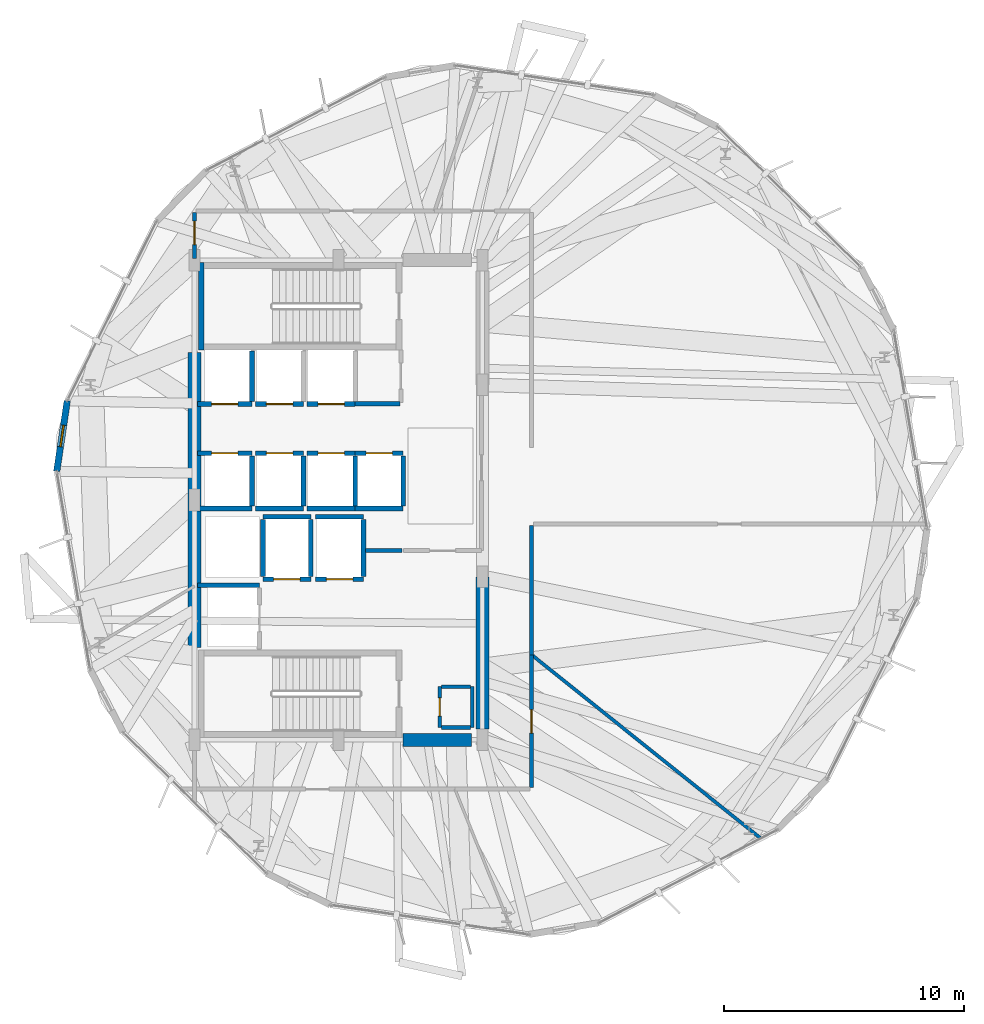
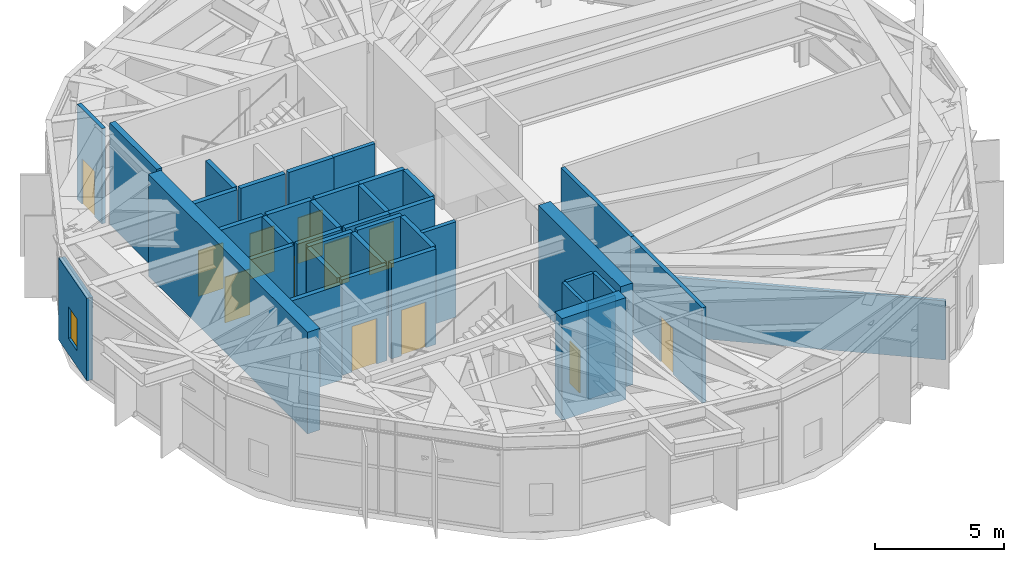
# One storey, part 22 of 27: 39 walls, 12 doors, 1 window, 13 openings.
"""IFC4 building model written with IfcOpenShell, lengths in metres."""

from ifc_helpers import new_model, si_unit, direction, frame, frame_2d, origin, place, context, subcontext, project, spatial, rectangle, extrude, material, layer, layer_set, type_object, element, fill, save


model = new_model("IFC4")

# Units and contexts
model_context = context("Model", 3, precision=1e-05, world=origin(), true_north=direction((0.0, 1.0)))
body_context = subcontext(model_context, "Body", "Model", "MODEL_VIEW")
ifc_project = project(units=[si_unit("LENGTHUNIT", "METRE"), si_unit("AREAUNIT", "SQUARE_METRE"), si_unit("VOLUMEUNIT", "CUBIC_METRE"), si_unit("PLANEANGLEUNIT", "RADIAN"), si_unit("MASSUNIT", "GRAM", prefix="KILO")], contexts=[model_context])

# Site, building, storey
site_placement = place(None, origin())
site = spatial("IfcSite", under=ifc_project, at=site_placement, CompositionType="ELEMENT")
building_placement = place(site_placement, origin())
building = spatial("IfcBuilding", under=site, at=building_placement, Name="Soratama Intermodal Tower", CompositionType="ELEMENT")
storey_placement = place(building_placement, frame((0.0, 0.0, 134.199951171875)))
storey = spatial("IfcBuildingStorey", under=building, at=storey_placement, Name="L32", CompositionType="ELEMENT", Elevation=134.199951171875)

# Wall, opening, window
ifc_material_1 = material(Name="Concrete f'c 42 MPa", Category="concrete")
ifc_layer_1 = layer(ifc_material_1, 0.27001953125)
ifc_layer_set_1 = layer_set([ifc_layer_1], Name="Concrete f'c 42 MPa")
wall_type_1 = type_object("IfcWallType", Name="EW-CRN-270", PredefinedType="SOLIDWALL", material=ifc_layer_set_1)
wall_1_placement = place(storey_placement, frame((27.29736328125, 29.132568359375, 0.0), z_axis=(0.0, 0.0, 1.0), x_axis=(-0.147157120534, -0.989113128958, 0.0)))
wall_1 = element("IfcWall", 1, at=wall_1_placement, inside=storey, type_object=wall_type_1, Name="L32 Corner Closure Wall 04", PredefinedType="SOLIDWALL", context=body_context, shape_type="SweptSolid", body=[
    extrude(rectangle(XDim=2.96630859375, YDim=0.27001953125, at=frame_2d((1.483154296875, 0.0))), origin(), (0.0, 0.0, 1.0), 3.879150390625),
])
opening_1_placement = place(wall_1_placement, frame((1.033203125, 0.0, 0.75)))
opening_1 = element("IfcOpeningElement", 2, at=opening_1_placement, cuts=wall_1, Name="Opening WN-6", PredefinedType="OPENING", context=body_context, shape_type="SweptSolid", body=[
    extrude(rectangle(XDim=0.89990234375, YDim=1.5, at=frame_2d((0.449951171875, 0.75))), frame((0.0, 0.14501953125, 0.0), z_axis=(0.0, -1.0, 0.0), x_axis=(1.0, 0.0, 0.0)), (0.0, 0.0, 1.0), 0.2900390625),
])
ifc_material_2 = material(Name="Double-glazed aluminium window", Category="aluminium")
window_type = type_object("IfcWindowType", Name="WN-FAC-900", PartitioningType="SINGLE_PANEL", PredefinedType="WINDOW", material=ifc_material_2)
window_placement = place(opening_1_placement, origin())
window = element("IfcWindow", 3, at=window_placement, inside=storey, type_object=window_type, Name="L32 Corner Window 04", OverallHeight=1.5, OverallWidth=0.89990234375, PartitioningType="SINGLE_PANEL", PredefinedType="WINDOW", context=body_context, shape_type="SweptSolid", body=[
    extrude(rectangle(XDim=0.89990234375, YDim=1.5, at=frame_2d((0.449951171875, 0.75))), frame((0.0, 0.030029296875, 0.0), z_axis=(0.0, -1.0, 0.0), x_axis=(1.0, 0.0, 0.0)), (0.0, 0.0, 1.0), 0.06005859375),
])
fill(opening_1, window)

# Walls
ifc_material_3 = material(Name="Fire-rated gypsum stud partition", Category="concrete")
ifc_layer_2 = layer(ifc_material_3, 0.14990234375)
ifc_layer_set_2 = layer_set([ifc_layer_2], Name="Fire-rated gypsum stud partition")
wall_type_2 = type_object("IfcWallType", Name="IW-PART-R150", PredefinedType="PARTITIONING", material=ifc_layer_set_2)
for number, where, z_axis, x_axis, name in (
    (4, (42.89990234375, 15.52001953125, 0.0), (0.0, 0.0, 1.0), (1.0, 0.0, 0.0), "L32 Riser Wall S"),
    (5, (42.89990234375, 17.219970703125, 0.0), (0.0, 0.0, 1.0), (1.0, 0.0, 0.0), "L32 Riser Wall N"),
):
    element("IfcWall", number, at=place(storey_placement, frame(where, z_axis=z_axis, x_axis=x_axis)), inside=storey, type_object=wall_type_2, Name=name, PredefinedType="PARTITIONING", context=body_context, shape_type="SweptSolid", body=[
        extrude(rectangle(XDim=1.2001953125, YDim=0.14990234375, at=frame_2d((0.60009765625, 0.0))), origin(), (0.0, 0.0, 1.0), 4.5),
    ])
wall_2_placement = place(storey_placement, frame((44.179931640625, 15.52001953125, 0.0), z_axis=(0.0, 0.0, 1.0), x_axis=(0.0, 1.0, 0.0)))
element("IfcWall", 6, at=wall_2_placement, inside=storey, type_object=wall_type_2, Name="L32 Riser Wall E", PredefinedType="PARTITIONING", context=body_context, shape_type="SweptSolid", body=[
    extrude(rectangle(XDim=1.699951171875, YDim=0.14990234375, at=frame_2d((0.85009765625, 0.0))), origin(), (0.0, 0.0, 1.0), 4.5),
])

# Wall, opening, door
wall_3_placement = place(storey_placement, frame((42.820068359375, 15.52001953125, 0.0), z_axis=(0.0, 0.0, 1.0), x_axis=(0.0, 1.0, 0.0)))
wall_3 = element("IfcWall", 7, at=wall_3_placement, inside=storey, type_object=wall_type_2, Name="L32 Riser Front Wall", PredefinedType="PARTITIONING", context=body_context, shape_type="SweptSolid", body=[
    extrude(rectangle(XDim=1.699951171875, YDim=0.14990234375, at=frame_2d((0.85009765625, 0.0))), origin(), (0.0, 0.0, 1.0), 4.5),
])
opening_2_placement = place(wall_3_placement, frame((0.469970703125, 0.0, 0.0)))
opening_2 = element("IfcOpeningElement", 8, at=opening_2_placement, cuts=wall_3, Name="Opening TD-1", PredefinedType="OPENING", context=body_context, shape_type="SweptSolid", body=[
    extrude(rectangle(XDim=0.760009765625, YDim=2.0, at=frame_2d((0.3798828125, 1.0))), frame((0.0, 0.0849609375, 0.0), z_axis=(0.0, -1.0, 0.0), x_axis=(1.0, 0.0, 0.0)), (0.0, 0.0, 1.0), 0.169921875),
])
ifc_material_4 = material(Name="Steel fire door", Category="steel")
door_type_1 = type_object("IfcDoorType", Name="DR-RISER-TRAP", OperationType="NOTDEFINED", PredefinedType="TRAPDOOR", material=ifc_material_4)
door_1_placement = place(opening_2_placement, origin())
door_1 = element("IfcDoor", 9, at=door_1_placement, inside=storey, type_object=door_type_1, Name="L32 Riser Inspection Door", OperationType="SINGLE_SWING_LEFT", OverallHeight=2.0, OverallWidth=0.760009765625, PredefinedType="TRAPDOOR", context=body_context, shape_type="SweptSolid", body=[
    extrude(rectangle(XDim=0.760009765625, YDim=2.0, at=frame_2d((0.3798828125, 1.0))), frame((0.0, 0.02490234375, 0.0), z_axis=(0.0, -1.0, 0.0), x_axis=(1.0, 0.0, 0.0)), (0.0, 0.0, 1.0), 0.050048828125),
])
fill(opening_2, door_1)

ifc_material_5 = material(Name="Fire-rated gypsum stud partition", Category="concrete")
ifc_layer_3 = layer(ifc_material_5, 0.169921875)
ifc_layer_set_3 = layer_set([ifc_layer_3], Name="Fire-rated gypsum stud partition")
wall_type_3 = type_object("IfcWallType", Name="IW-PART-R170", PredefinedType="PARTITIONING", material=ifc_layer_set_3)
wall_4_placement = place(storey_placement, frame((46.64990234375, 18.550048828125, 0.0), z_axis=(0.0, 0.0, 1.0), x_axis=(0.0, -1.0, 0.0)))
wall_4 = element("IfcWall", 10, at=wall_4_placement, inside=storey, type_object=wall_type_3, Name="L32 Partition W-L32-TP008", PredefinedType="PARTITIONING", context=body_context, shape_type="SweptSolid", body=[
    extrude(rectangle(XDim=5.530029296875, YDim=0.169921875, at=frame_2d((2.76513671875, 0.0))), origin(), (0.0, 0.0, 1.0), 4.5),
])
opening_3_placement = place(wall_4_placement, frame((2.2900390625, 0.0, 0.0)))
opening_3 = element("IfcOpeningElement", 11, at=opening_3_placement, cuts=wall_4, Name="Opening ID-5", PredefinedType="OPENING", context=body_context, shape_type="SweptSolid", body=[
    extrude(rectangle(XDim=0.97998046875, YDim=2.14990234375, at=frame_2d((0.489990234375, 1.074951171875))), frame((0.0, 0.094970703125, 0.0), z_axis=(0.0, -1.0, 0.0), x_axis=(1.0, 0.0, 0.0)), (0.0, 0.0, 1.0), 0.18994140625),
])
ifc_material_6 = material(Name="Solid hardwood acoustic door", Category="wood")
door_type_2 = type_object("IfcDoorType", Name="DR-OFF-980", OperationType="NOTDEFINED", PredefinedType="DOOR", material=ifc_material_6)
door_2_placement = place(opening_3_placement, origin())
door_2 = element("IfcDoor", 12, at=door_2_placement, inside=storey, type_object=door_type_2, Name="L32 Door D-L32-TP005", OperationType="SINGLE_SWING_RIGHT", OverallHeight=2.14990234375, OverallWidth=0.97998046875, PredefinedType="DOOR", context=body_context, shape_type="SweptSolid", body=[
    extrude(rectangle(XDim=0.97998046875, YDim=2.14990234375, at=frame_2d((0.489990234375, 1.074951171875))), frame((0.0, 0.02490234375, 0.0), z_axis=(0.0, -1.0, 0.0), x_axis=(1.0, 0.0, 0.0)), (0.0, 0.0, 1.0), 0.050048828125),
])
fill(opening_3, door_2)

# Wall
wall_5_placement = place(storey_placement, frame((46.64990234375, 23.929931640625, 0.0), z_axis=(0.0, 0.0, 1.0), x_axis=(0.0, -1.0, 0.0)))
element("IfcWall", 13, at=wall_5_placement, inside=storey, type_object=wall_type_3, Name="L32 Partition W-L32-TP009", PredefinedType="PARTITIONING", context=body_context, shape_type="SweptSolid", body=[
    extrude(rectangle(XDim=5.3798828125, YDim=0.169921875, at=frame_2d((2.68994140625, 0.0))), origin(), (0.0, 0.0, 1.0), 4.5),
])

# Wall, opening, door
wall_6_placement = place(storey_placement, frame((32.60009765625, 35.070068359375, 0.0), z_axis=(0.0, 0.0, 1.0), x_axis=(0.0, 1.0, 0.0)))
wall_6 = element("IfcWall", 14, at=wall_6_placement, inside=storey, type_object=wall_type_3, Name="L32 Partition W-L32-TP018", PredefinedType="PARTITIONING", context=body_context, shape_type="SweptSolid", body=[
    extrude(rectangle(XDim=1.909912109375, YDim=0.169921875, at=frame_2d((0.955078125, 0.0))), origin(), (0.0, 0.0, 1.0), 4.5),
])
opening_4_placement = place(wall_6_placement, frame((0.574951171875, 0.0, 0.0)))
opening_4 = element("IfcOpeningElement", 15, at=opening_4_placement, cuts=wall_6, Name="Opening ID-5", PredefinedType="OPENING", context=body_context, shape_type="SweptSolid", body=[
    extrude(rectangle(XDim=0.97998046875, YDim=2.14990234375, at=frame_2d((0.489990234375, 1.074951171875))), frame((0.0, 0.094970703125, 0.0), z_axis=(0.0, -1.0, 0.0), x_axis=(1.0, 0.0, 0.0)), (0.0, 0.0, 1.0), 0.18994140625),
])
door_3_placement = place(opening_4_placement, origin())
door_3 = element("IfcDoor", 16, at=door_3_placement, inside=storey, type_object=door_type_2, Name="L32 Door D-L32-TP009", OperationType="SINGLE_SWING_RIGHT", OverallHeight=2.14990234375, OverallWidth=0.97998046875, PredefinedType="DOOR", context=body_context, shape_type="SweptSolid", body=[
    extrude(rectangle(XDim=0.97998046875, YDim=2.14990234375, at=frame_2d((0.489990234375, 1.074951171875))), frame((0.0, 0.02490234375, 0.0), z_axis=(0.0, -1.0, 0.0), x_axis=(1.0, 0.0, 0.0)), (0.0, 0.0, 1.0), 0.050048828125),
])
fill(opening_4, door_3)

# Walls
wall_7_placement = place(storey_placement, frame((39.300048828125, 29.010009765625, 0.0), z_axis=(0.0, 0.0, 1.0), x_axis=(1.0, 0.0, 0.0)))
element("IfcWall", 17, at=wall_7_placement, inside=storey, type_object=wall_type_3, Name="L32 Partition W-L32-TP019", PredefinedType="PARTITIONING", context=body_context, shape_type="SweptSolid", body=[
    extrude(rectangle(XDim=1.85986328125, YDim=0.169921875, at=frame_2d((0.929931640625, 0.0))), origin(), (0.0, 0.0, 1.0), 4.5),
])
wall_8_placement = place(storey_placement, frame((39.719970703125, 22.889892578125, 0.0), z_axis=(0.0, 0.0, 1.0), x_axis=(1.0, 0.0, 0.0)))
element("IfcWall", 18, at=wall_8_placement, inside=storey, type_object=wall_type_3, Name="L32 Partition W-L32-TP020", PredefinedType="PARTITIONING", context=body_context, shape_type="SweptSolid", body=[
    extrude(rectangle(XDim=1.52001953125, YDim=0.169921875, at=frame_2d((0.760009765625, 0.0))), origin(), (0.0, 0.0, 1.0), 4.5),
])
ifc_material_7 = material(Name="Fire-rated gypsum stud partition", Category="concrete")
ifc_layer_4 = layer(ifc_material_7, 0.139892578125)
ifc_layer_set_4 = layer_set([ifc_layer_4], Name="Fire-rated gypsum stud partition")
wall_type_4 = type_object("IfcWallType", Name="IW-PART-S140", PredefinedType="PARTITIONING", material=ifc_layer_set_4)
wall_9_placement = place(storey_placement, frame((46.64990234375, 18.550048828125, 0.0), z_axis=(0.0, 0.0, 1.0), x_axis=(0.780419315433, -0.625256501045, 0.0)))
element("IfcWall", 19, at=wall_9_placement, inside=storey, type_object=wall_type_4, Name="L32 Partition W-L32-TP002", PredefinedType="PARTITIONING", context=body_context, shape_type="SweptSolid", body=[
    extrude(rectangle(XDim=12.24609375, YDim=0.139892578125, at=frame_2d((6.123046875, 0.0))), origin(), (0.0, 0.0, 1.0), 2.7900390625),
])

# Wall, opening, door
ifc_material_8 = material(Name="Concrete f'c 42 MPa", Category="concrete")
ifc_layer_5 = layer(ifc_material_8, 0.199951171875)
ifc_layer_set_5 = layer_set([ifc_layer_5], Name="Concrete f'c 42 MPa")
wall_type_5 = type_object("IfcWallType", Name="IW-SHAFT-200", PredefinedType="SOLIDWALL", material=ifc_layer_set_5)
wall_10_placement = place(storey_placement, frame((35.449951171875, 21.699951171875, 0.0), z_axis=(0.0, 0.0, 1.0), x_axis=(1.0, 0.0, 0.0)))
wall_10 = element("IfcWall", 20, at=wall_10_placement, inside=storey, type_object=wall_type_5, Name="L32 FFL-1 Hoistway Wall S", PredefinedType="SOLIDWALL", context=body_context, shape_type="SweptSolid", body=[
    extrude(rectangle(XDim=2.0, YDim=0.199951171875, at=frame_2d((1.0, 0.0))), origin(), (0.0, 0.0, 1.0), 4.5),
])
opening_5_placement = place(wall_10_placement, frame((0.449951171875, 0.0, 0.0)))
opening_5 = element("IfcOpeningElement", 21, at=opening_5_placement, cuts=wall_10, Name="Opening LD-1", PredefinedType="OPENING", context=body_context, shape_type="SweptSolid", body=[
    extrude(rectangle(XDim=1.10009765625, YDim=2.14990234375, at=frame_2d((0.550048828125, 1.074951171875))), frame((0.0, 0.10986328125, 0.0), z_axis=(0.0, -1.0, 0.0), x_axis=(1.0, 0.0, 0.0)), (0.0, 0.0, 1.0), 0.219970703125),
])
ifc_material_9 = material(Name="Steel fire door", Category="steel")
door_type_3 = type_object("IfcDoorType", Name="DR-LIFT-SLIDE", OperationType="NOTDEFINED", PredefinedType="DOOR", material=ifc_material_9)
door_4_placement = place(opening_5_placement, origin())
door_4 = element("IfcDoor", 22, at=door_4_placement, inside=storey, type_object=door_type_3, Name="L32 FFL-1 Sliding Landing Door", OperationType="SLIDING_TO_LEFT", OverallHeight=2.14990234375, OverallWidth=1.10009765625, PredefinedType="DOOR", context=body_context, shape_type="SweptSolid", body=[
    extrude(rectangle(XDim=1.10009765625, YDim=2.14990234375, at=frame_2d((0.550048828125, 1.074951171875))), frame((0.0, 0.02490234375, 0.0), z_axis=(0.0, -1.0, 0.0), x_axis=(1.0, 0.0, 0.0)), (0.0, 0.0, 1.0), 0.050048828125),
])
fill(opening_5, door_4)

# Walls
wall_11_placement = place(storey_placement, frame((35.449951171875, 24.300048828125, 0.0), z_axis=(0.0, 0.0, 1.0), x_axis=(1.0, 0.0, 0.0)))
element("IfcWall", 23, at=wall_11_placement, inside=storey, type_object=wall_type_5, Name="L32 FFL-1 Hoistway Wall N", PredefinedType="SOLIDWALL", context=body_context, shape_type="SweptSolid", body=[
    extrude(rectangle(XDim=2.0, YDim=0.199951171875, at=frame_2d((1.0, 0.0))), origin(), (0.0, 0.0, 1.0), 4.5),
])
for number, where, z_axis, x_axis, name in (
    (24, (35.449951171875, 21.81005859375, 0.0), (0.0, 0.0, 1.0), (0.0, 1.0, 0.0), "L32 FFL-1 Hoistway Wall W"),
    (25, (37.449951171875, 21.81005859375, 0.0), (0.0, 0.0, 1.0), (0.0, 1.0, 0.0), "L32 FFL-1 Hoistway Wall E"),
):
    element("IfcWall", number, at=place(storey_placement, frame(where, z_axis=z_axis, x_axis=x_axis)), inside=storey, type_object=wall_type_5, Name=name, PredefinedType="SOLIDWALL", context=body_context, shape_type="SweptSolid", body=[
        extrude(rectangle(XDim=2.3798828125, YDim=0.199951171875, at=frame_2d((1.18994140625, 0.0))), origin(), (0.0, 0.0, 1.0), 4.5),
    ])

# Wall, opening, door
wall_12_placement = place(storey_placement, frame((37.64990234375, 21.699951171875, 0.0), z_axis=(0.0, 0.0, 1.0), x_axis=(1.0, 0.0, 0.0)))
wall_12 = element("IfcWall", 26, at=wall_12_placement, inside=storey, type_object=wall_type_5, Name="L32 FFL-2 Hoistway Wall S", PredefinedType="SOLIDWALL", context=body_context, shape_type="SweptSolid", body=[
    extrude(rectangle(XDim=2.0, YDim=0.199951171875, at=frame_2d((1.0, 0.0))), origin(), (0.0, 0.0, 1.0), 4.5),
])
opening_6_placement = place(wall_12_placement, frame((0.449951171875, 0.0, 0.0)))
opening_6 = element("IfcOpeningElement", 27, at=opening_6_placement, cuts=wall_12, Name="Opening LD-1", PredefinedType="OPENING", context=body_context, shape_type="SweptSolid", body=[
    extrude(rectangle(XDim=1.10009765625, YDim=2.14990234375, at=frame_2d((0.550048828125, 1.074951171875))), frame((0.0, 0.10986328125, 0.0), z_axis=(0.0, -1.0, 0.0), x_axis=(1.0, 0.0, 0.0)), (0.0, 0.0, 1.0), 0.219970703125),
])
door_5_placement = place(opening_6_placement, origin())
door_5 = element("IfcDoor", 28, at=door_5_placement, inside=storey, type_object=door_type_3, Name="L32 FFL-2 Sliding Landing Door", OperationType="SLIDING_TO_LEFT", OverallHeight=2.14990234375, OverallWidth=1.10009765625, PredefinedType="DOOR", context=body_context, shape_type="SweptSolid", body=[
    extrude(rectangle(XDim=1.10009765625, YDim=2.14990234375, at=frame_2d((0.550048828125, 1.074951171875))), frame((0.0, 0.02490234375, 0.0), z_axis=(0.0, -1.0, 0.0), x_axis=(1.0, 0.0, 0.0)), (0.0, 0.0, 1.0), 0.050048828125),
])
fill(opening_6, door_5)

# Walls
wall_13_placement = place(storey_placement, frame((37.64990234375, 24.300048828125, 0.0), z_axis=(0.0, 0.0, 1.0), x_axis=(1.0, 0.0, 0.0)))
element("IfcWall", 29, at=wall_13_placement, inside=storey, type_object=wall_type_5, Name="L32 FFL-2 Hoistway Wall N", PredefinedType="SOLIDWALL", context=body_context, shape_type="SweptSolid", body=[
    extrude(rectangle(XDim=2.0, YDim=0.199951171875, at=frame_2d((1.0, 0.0))), origin(), (0.0, 0.0, 1.0), 4.5),
])
wall_14_placement = place(storey_placement, frame((39.64990234375, 21.81005859375, 0.0), z_axis=(0.0, 0.0, 1.0), x_axis=(0.0, 1.0, 0.0)))
element("IfcWall", 30, at=wall_14_placement, inside=storey, type_object=wall_type_5, Name="L32 FFL-2 Hoistway Wall E", PredefinedType="SOLIDWALL", context=body_context, shape_type="SweptSolid", body=[
    extrude(rectangle(XDim=2.3798828125, YDim=0.199951171875, at=frame_2d((1.18994140625, 0.0))), origin(), (0.0, 0.0, 1.0), 4.5),
])
wall_15_placement = place(storey_placement, frame((32.719970703125, 21.449951171875, 0.0), z_axis=(0.0, 0.0, 1.0), x_axis=(1.0, 0.0, 0.0)))
element("IfcWall", 31, at=wall_15_placement, inside=storey, type_object=wall_type_5, Name="L32 SVL-1 Hoistway Wall N", PredefinedType="SOLIDWALL", context=body_context, shape_type="SweptSolid", body=[
    extrude(rectangle(XDim=2.580078125, YDim=0.199951171875, at=frame_2d((1.2900390625, 0.0))), origin(), (0.0, 0.0, 1.0), 4.5),
])
wall_16_placement = place(storey_placement, frame((32.719970703125, 24.64990234375, 0.0), z_axis=(0.0, 0.0, 1.0), x_axis=(1.0, 0.0, 0.0)))
element("IfcWall", 32, at=wall_16_placement, inside=storey, type_object=wall_type_5, Name="L32 PL-L1 Hoistway Wall S", PredefinedType="SOLIDWALL", context=body_context, shape_type="SweptSolid", body=[
    extrude(rectangle(XDim=2.280029296875, YDim=0.199951171875, at=frame_2d((1.14013671875, 0.0))), origin(), (0.0, 0.0, 1.0), 4.5),
])

# Wall, opening, door
wall_17_placement = place(storey_placement, frame((32.719970703125, 26.949951171875, 0.0), z_axis=(0.0, 0.0, 1.0), x_axis=(1.0, 0.0, 0.0)))
wall_17 = element("IfcWall", 33, at=wall_17_placement, inside=storey, type_object=wall_type_5, Name="L32 PL-L1 Hoistway Wall N", PredefinedType="SOLIDWALL", context=body_context, shape_type="SweptSolid", body=[
    extrude(rectangle(XDim=2.280029296875, YDim=0.199951171875, at=frame_2d((1.14013671875, 0.0))), origin(), (0.0, 0.0, 1.0), 4.5),
])
opening_7_placement = place(wall_17_placement, frame((0.590087890625, 0.0, 0.0)))
opening_7 = element("IfcOpeningElement", 34, at=opening_7_placement, cuts=wall_17, Name="Opening LD-1", PredefinedType="OPENING", context=body_context, shape_type="SweptSolid", body=[
    extrude(rectangle(XDim=1.10009765625, YDim=2.14990234375, at=frame_2d((0.550048828125, 1.074951171875))), frame((0.0, 0.10986328125, 0.0), z_axis=(0.0, -1.0, 0.0), x_axis=(1.0, 0.0, 0.0)), (0.0, 0.0, 1.0), 0.219970703125),
])
door_6_placement = place(opening_7_placement, origin())
door_6 = element("IfcDoor", 35, at=door_6_placement, inside=storey, type_object=door_type_3, Name="L32 PL-L1 Sliding Landing Door", OperationType="SLIDING_TO_LEFT", OverallHeight=2.14990234375, OverallWidth=1.10009765625, PredefinedType="DOOR", context=body_context, shape_type="SweptSolid", body=[
    extrude(rectangle(XDim=1.10009765625, YDim=2.14990234375, at=frame_2d((0.550048828125, 1.074951171875))), frame((0.0, 0.02490234375, 0.0), z_axis=(0.0, -1.0, 0.0), x_axis=(1.0, 0.0, 0.0)), (0.0, 0.0, 1.0), 0.050048828125),
])
fill(opening_7, door_6)

# Walls
wall_18_placement = place(storey_placement, frame((35.0, 24.760009765625, 0.0), z_axis=(0.0, 0.0, 1.0), x_axis=(0.0, 1.0, 0.0)))
element("IfcWall", 36, at=wall_18_placement, inside=storey, type_object=wall_type_5, Name="L32 PL-L1 Hoistway Wall E", PredefinedType="SOLIDWALL", context=body_context, shape_type="SweptSolid", body=[
    extrude(rectangle(XDim=2.080078125, YDim=0.199951171875, at=frame_2d((1.0400390625, 0.0))), origin(), (0.0, 0.0, 1.0), 4.5),
])
wall_19_placement = place(storey_placement, frame((35.14990234375, 24.64990234375, 0.0), z_axis=(0.0, 0.0, 1.0), x_axis=(1.0, 0.0, 0.0)))
element("IfcWall", 37, at=wall_19_placement, inside=storey, type_object=wall_type_5, Name="L32 PL-L2 Hoistway Wall S", PredefinedType="SOLIDWALL", context=body_context, shape_type="SweptSolid", body=[
    extrude(rectangle(XDim=2.0, YDim=0.199951171875, at=frame_2d((1.0, 0.0))), origin(), (0.0, 0.0, 1.0), 4.5),
])

# Wall, opening, door
wall_20_placement = place(storey_placement, frame((35.14990234375, 26.949951171875, 0.0), z_axis=(0.0, 0.0, 1.0), x_axis=(1.0, 0.0, 0.0)))
wall_20 = element("IfcWall", 38, at=wall_20_placement, inside=storey, type_object=wall_type_5, Name="L32 PL-L2 Hoistway Wall N", PredefinedType="SOLIDWALL", context=body_context, shape_type="SweptSolid", body=[
    extrude(rectangle(XDim=2.0, YDim=0.199951171875, at=frame_2d((1.0, 0.0))), origin(), (0.0, 0.0, 1.0), 4.5),
])
opening_8_placement = place(wall_20_placement, frame((0.449951171875, 0.0, 0.0)))
opening_8 = element("IfcOpeningElement", 39, at=opening_8_placement, cuts=wall_20, Name="Opening LD-1", PredefinedType="OPENING", context=body_context, shape_type="SweptSolid", body=[
    extrude(rectangle(XDim=1.10009765625, YDim=2.14990234375, at=frame_2d((0.550048828125, 1.074951171875))), frame((0.0, 0.10986328125, 0.0), z_axis=(0.0, -1.0, 0.0), x_axis=(1.0, 0.0, 0.0)), (0.0, 0.0, 1.0), 0.219970703125),
])
door_7_placement = place(opening_8_placement, origin())
door_7 = element("IfcDoor", 40, at=door_7_placement, inside=storey, type_object=door_type_3, Name="L32 PL-L2 Sliding Landing Door", OperationType="SLIDING_TO_LEFT", OverallHeight=2.14990234375, OverallWidth=1.10009765625, PredefinedType="DOOR", context=body_context, shape_type="SweptSolid", body=[
    extrude(rectangle(XDim=1.10009765625, YDim=2.14990234375, at=frame_2d((0.550048828125, 1.074951171875))), frame((0.0, 0.02490234375, 0.0), z_axis=(0.0, -1.0, 0.0), x_axis=(1.0, 0.0, 0.0)), (0.0, 0.0, 1.0), 0.050048828125),
])
fill(opening_8, door_7)

# Walls
wall_21_placement = place(storey_placement, frame((37.14990234375, 24.760009765625, 0.0), z_axis=(0.0, 0.0, 1.0), x_axis=(0.0, 1.0, 0.0)))
element("IfcWall", 41, at=wall_21_placement, inside=storey, type_object=wall_type_5, Name="L32 PL-L2 Hoistway Wall E", PredefinedType="SOLIDWALL", context=body_context, shape_type="SweptSolid", body=[
    extrude(rectangle(XDim=2.080078125, YDim=0.199951171875, at=frame_2d((1.0400390625, 0.0))), origin(), (0.0, 0.0, 1.0), 4.5),
])
wall_22_placement = place(storey_placement, frame((37.300048828125, 24.64990234375, 0.0), z_axis=(0.0, 0.0, 1.0), x_axis=(1.0, 0.0, 0.0)))
element("IfcWall", 42, at=wall_22_placement, inside=storey, type_object=wall_type_5, Name="L32 PL-L3 Hoistway Wall S", PredefinedType="SOLIDWALL", context=body_context, shape_type="SweptSolid", body=[
    extrude(rectangle(XDim=2.0, YDim=0.199951171875, at=frame_2d((1.0, 0.0))), origin(), (0.0, 0.0, 1.0), 4.5),
])

# Wall, opening, door
wall_23_placement = place(storey_placement, frame((37.300048828125, 26.949951171875, 0.0), z_axis=(0.0, 0.0, 1.0), x_axis=(1.0, 0.0, 0.0)))
wall_23 = element("IfcWall", 43, at=wall_23_placement, inside=storey, type_object=wall_type_5, Name="L32 PL-L3 Hoistway Wall N", PredefinedType="SOLIDWALL", context=body_context, shape_type="SweptSolid", body=[
    extrude(rectangle(XDim=2.0, YDim=0.199951171875, at=frame_2d((1.0, 0.0))), origin(), (0.0, 0.0, 1.0), 4.5),
])
opening_9_placement = place(wall_23_placement, frame((0.449951171875, 0.0, 0.0)))
opening_9 = element("IfcOpeningElement", 44, at=opening_9_placement, cuts=wall_23, Name="Opening LD-1", PredefinedType="OPENING", context=body_context, shape_type="SweptSolid", body=[
    extrude(rectangle(XDim=1.10009765625, YDim=2.14990234375, at=frame_2d((0.550048828125, 1.074951171875))), frame((0.0, 0.10986328125, 0.0), z_axis=(0.0, -1.0, 0.0), x_axis=(1.0, 0.0, 0.0)), (0.0, 0.0, 1.0), 0.219970703125),
])
door_8_placement = place(opening_9_placement, origin())
door_8 = element("IfcDoor", 45, at=door_8_placement, inside=storey, type_object=door_type_3, Name="L32 PL-L3 Sliding Landing Door", OperationType="SLIDING_TO_LEFT", OverallHeight=2.14990234375, OverallWidth=1.10009765625, PredefinedType="DOOR", context=body_context, shape_type="SweptSolid", body=[
    extrude(rectangle(XDim=1.10009765625, YDim=2.14990234375, at=frame_2d((0.550048828125, 1.074951171875))), frame((0.0, 0.02490234375, 0.0), z_axis=(0.0, -1.0, 0.0), x_axis=(1.0, 0.0, 0.0)), (0.0, 0.0, 1.0), 0.050048828125),
])
fill(opening_9, door_8)

# Walls
wall_24_placement = place(storey_placement, frame((39.300048828125, 24.760009765625, 0.0), z_axis=(0.0, 0.0, 1.0), x_axis=(0.0, 1.0, 0.0)))
element("IfcWall", 46, at=wall_24_placement, inside=storey, type_object=wall_type_5, Name="L32 PL-L3 Hoistway Wall E", PredefinedType="SOLIDWALL", context=body_context, shape_type="SweptSolid", body=[
    extrude(rectangle(XDim=2.080078125, YDim=0.199951171875, at=frame_2d((1.0400390625, 0.0))), origin(), (0.0, 0.0, 1.0), 4.5),
])
wall_25_placement = place(storey_placement, frame((39.300048828125, 24.64990234375, 0.0), z_axis=(0.0, 0.0, 1.0), x_axis=(1.0, 0.0, 0.0)))
element("IfcWall", 47, at=wall_25_placement, inside=storey, type_object=wall_type_5, Name="L32 PL-M1 Hoistway Wall S", PredefinedType="SOLIDWALL", context=body_context, shape_type="SweptSolid", body=[
    extrude(rectangle(XDim=2.0, YDim=0.199951171875, at=frame_2d((1.0, 0.0))), origin(), (0.0, 0.0, 1.0), 4.5),
])

# Wall, opening, door
wall_26_placement = place(storey_placement, frame((39.300048828125, 26.949951171875, 0.0), z_axis=(0.0, 0.0, 1.0), x_axis=(1.0, 0.0, 0.0)))
wall_26 = element("IfcWall", 48, at=wall_26_placement, inside=storey, type_object=wall_type_5, Name="L32 PL-M1 Hoistway Wall N", PredefinedType="SOLIDWALL", context=body_context, shape_type="SweptSolid", body=[
    extrude(rectangle(XDim=2.0, YDim=0.199951171875, at=frame_2d((1.0, 0.0))), origin(), (0.0, 0.0, 1.0), 4.5),
])
opening_10_placement = place(wall_26_placement, frame((0.449951171875, 0.0, 0.0)))
opening_10 = element("IfcOpeningElement", 49, at=opening_10_placement, cuts=wall_26, Name="Opening LD-1", PredefinedType="OPENING", context=body_context, shape_type="SweptSolid", body=[
    extrude(rectangle(XDim=1.10009765625, YDim=2.14990234375, at=frame_2d((0.550048828125, 1.074951171875))), frame((0.0, 0.10986328125, 0.0), z_axis=(0.0, -1.0, 0.0), x_axis=(1.0, 0.0, 0.0)), (0.0, 0.0, 1.0), 0.219970703125),
])
door_9_placement = place(opening_10_placement, origin())
door_9 = element("IfcDoor", 50, at=door_9_placement, inside=storey, type_object=door_type_3, Name="L32 PL-M1 Sliding Landing Door", OperationType="SLIDING_TO_LEFT", OverallHeight=2.14990234375, OverallWidth=1.10009765625, PredefinedType="DOOR", context=body_context, shape_type="SweptSolid", body=[
    extrude(rectangle(XDim=1.10009765625, YDim=2.14990234375, at=frame_2d((0.550048828125, 1.074951171875))), frame((0.0, 0.02490234375, 0.0), z_axis=(0.0, -1.0, 0.0), x_axis=(1.0, 0.0, 0.0)), (0.0, 0.0, 1.0), 0.050048828125),
])
fill(opening_10, door_9)

# Wall
wall_27_placement = place(storey_placement, frame((41.300048828125, 24.760009765625, 0.0), z_axis=(0.0, 0.0, 1.0), x_axis=(0.0, 1.0, 0.0)))
element("IfcWall", 51, at=wall_27_placement, inside=storey, type_object=wall_type_5, Name="L32 PL-M1 Hoistway Wall E", PredefinedType="SOLIDWALL", context=body_context, shape_type="SweptSolid", body=[
    extrude(rectangle(XDim=2.080078125, YDim=0.199951171875, at=frame_2d((1.0400390625, 0.0))), origin(), (0.0, 0.0, 1.0), 4.5),
])

# Wall, opening, door
wall_28_placement = place(storey_placement, frame((32.719970703125, 29.0, 0.0), z_axis=(0.0, 0.0, 1.0), x_axis=(1.0, 0.0, 0.0)))
wall_28 = element("IfcWall", 52, at=wall_28_placement, inside=storey, type_object=wall_type_5, Name="L32 PL-M2 Hoistway Wall S", PredefinedType="SOLIDWALL", context=body_context, shape_type="SweptSolid", body=[
    extrude(rectangle(XDim=2.280029296875, YDim=0.199951171875, at=frame_2d((1.14013671875, 0.0))), origin(), (0.0, 0.0, 1.0), 4.5),
])
opening_11_placement = place(wall_28_placement, frame((0.590087890625, 0.0, 0.0)))
opening_11 = element("IfcOpeningElement", 53, at=opening_11_placement, cuts=wall_28, Name="Opening LD-1", PredefinedType="OPENING", context=body_context, shape_type="SweptSolid", body=[
    extrude(rectangle(XDim=1.10009765625, YDim=2.14990234375, at=frame_2d((0.550048828125, 1.074951171875))), frame((0.0, 0.10986328125, 0.0), z_axis=(0.0, -1.0, 0.0), x_axis=(1.0, 0.0, 0.0)), (0.0, 0.0, 1.0), 0.219970703125),
])
door_10_placement = place(opening_11_placement, origin())
door_10 = element("IfcDoor", 54, at=door_10_placement, inside=storey, type_object=door_type_3, Name="L32 PL-M2 Sliding Landing Door", OperationType="SLIDING_TO_LEFT", OverallHeight=2.14990234375, OverallWidth=1.10009765625, PredefinedType="DOOR", context=body_context, shape_type="SweptSolid", body=[
    extrude(rectangle(XDim=1.10009765625, YDim=2.14990234375, at=frame_2d((0.550048828125, 1.074951171875))), frame((0.0, 0.02490234375, 0.0), z_axis=(0.0, -1.0, 0.0), x_axis=(1.0, 0.0, 0.0)), (0.0, 0.0, 1.0), 0.050048828125),
])
fill(opening_11, door_10)

# Wall
wall_29_placement = place(storey_placement, frame((35.0, 29.110107421875, 0.0), z_axis=(0.0, 0.0, 1.0), x_axis=(0.0, 1.0, 0.0)))
element("IfcWall", 55, at=wall_29_placement, inside=storey, type_object=wall_type_5, Name="L32 PL-M2 Hoistway Wall E", PredefinedType="SOLIDWALL", context=body_context, shape_type="SweptSolid", body=[
    extrude(rectangle(XDim=2.099853515625, YDim=0.199951171875, at=frame_2d((1.0498046875, 0.0))), origin(), (0.0, 0.0, 1.0), 4.5),
])

# Wall, opening, door
wall_30_placement = place(storey_placement, frame((35.14990234375, 29.0, 0.0), z_axis=(0.0, 0.0, 1.0), x_axis=(1.0, 0.0, 0.0)))
wall_30 = element("IfcWall", 56, at=wall_30_placement, inside=storey, type_object=wall_type_5, Name="L32 PL-H1 Hoistway Wall S", PredefinedType="SOLIDWALL", context=body_context, shape_type="SweptSolid", body=[
    extrude(rectangle(XDim=2.0, YDim=0.199951171875, at=frame_2d((1.0, 0.0))), origin(), (0.0, 0.0, 1.0), 4.5),
])
opening_12_placement = place(wall_30_placement, frame((0.449951171875, 0.0, 0.0)))
opening_12 = element("IfcOpeningElement", 57, at=opening_12_placement, cuts=wall_30, Name="Opening LD-1", PredefinedType="OPENING", context=body_context, shape_type="SweptSolid", body=[
    extrude(rectangle(XDim=1.10009765625, YDim=2.14990234375, at=frame_2d((0.550048828125, 1.074951171875))), frame((0.0, 0.10986328125, 0.0), z_axis=(0.0, -1.0, 0.0), x_axis=(1.0, 0.0, 0.0)), (0.0, 0.0, 1.0), 0.219970703125),
])
door_11_placement = place(opening_12_placement, origin())
door_11 = element("IfcDoor", 58, at=door_11_placement, inside=storey, type_object=door_type_3, Name="L32 PL-H1 Sliding Landing Door", OperationType="SLIDING_TO_LEFT", OverallHeight=2.14990234375, OverallWidth=1.10009765625, PredefinedType="DOOR", context=body_context, shape_type="SweptSolid", body=[
    extrude(rectangle(XDim=1.10009765625, YDim=2.14990234375, at=frame_2d((0.550048828125, 1.074951171875))), frame((0.0, 0.02490234375, 0.0), z_axis=(0.0, -1.0, 0.0), x_axis=(1.0, 0.0, 0.0)), (0.0, 0.0, 1.0), 0.050048828125),
])
fill(opening_12, door_11)

wall_31_placement = place(storey_placement, frame((37.300048828125, 29.0, 0.0), z_axis=(0.0, 0.0, 1.0), x_axis=(1.0, 0.0, 0.0)))
wall_31 = element("IfcWall", 59, at=wall_31_placement, inside=storey, type_object=wall_type_5, Name="L32 PL-H2 Hoistway Wall S", PredefinedType="SOLIDWALL", context=body_context, shape_type="SweptSolid", body=[
    extrude(rectangle(XDim=2.0, YDim=0.199951171875, at=frame_2d((1.0, 0.0))), origin(), (0.0, 0.0, 1.0), 4.5),
])
opening_13_placement = place(wall_31_placement, frame((0.449951171875, 0.0, 0.0)))
opening_13 = element("IfcOpeningElement", 60, at=opening_13_placement, cuts=wall_31, Name="Opening LD-1", PredefinedType="OPENING", context=body_context, shape_type="SweptSolid", body=[
    extrude(rectangle(XDim=1.10009765625, YDim=2.14990234375, at=frame_2d((0.550048828125, 1.074951171875))), frame((0.0, 0.10986328125, 0.0), z_axis=(0.0, -1.0, 0.0), x_axis=(1.0, 0.0, 0.0)), (0.0, 0.0, 1.0), 0.219970703125),
])
door_12_placement = place(opening_13_placement, origin())
door_12 = element("IfcDoor", 61, at=door_12_placement, inside=storey, type_object=door_type_3, Name="L32 PL-H2 Sliding Landing Door", OperationType="SLIDING_TO_LEFT", OverallHeight=2.14990234375, OverallWidth=1.10009765625, PredefinedType="DOOR", context=body_context, shape_type="SweptSolid", body=[
    extrude(rectangle(XDim=1.10009765625, YDim=2.14990234375, at=frame_2d((0.550048828125, 1.074951171875))), frame((0.0, 0.02490234375, 0.0), z_axis=(0.0, -1.0, 0.0), x_axis=(1.0, 0.0, 0.0)), (0.0, 0.0, 1.0), 0.050048828125),
])
fill(opening_13, door_12)

# Walls
ifc_material_10 = material(Name="Concrete f'c 56 MPa", Category="concrete")
ifc_layer_6 = layer(ifc_material_10, 0.550048828125)
ifc_layer_set_6 = layer_set([ifc_layer_6], Name="Concrete f'c 56 MPa")
wall_type_6 = type_object("IfcWallType", Name="SW-CORE-550", PredefinedType="SHEAR", material=ifc_layer_set_6)
wall_32_placement = place(storey_placement, frame((32.60009765625, 18.85009765625, 0.0), z_axis=(0.0, 0.0, 1.0), x_axis=(0.0, 1.0, 0.0)))
element("IfcWall", 62, at=wall_32_placement, inside=storey, type_object=wall_type_6, Name="L32 Core Shear Wall CW-WMID", PredefinedType="SHEAR", context=body_context, shape_type="SweptSolid", body=[
    extrude(rectangle(XDim=12.2998046875, YDim=0.550048828125, at=frame_2d((6.14990234375, 0.0))), origin(), (0.0, 0.0, 1.0), 4.800048828125),
])
wall_33_placement = place(storey_placement, frame((41.300048828125, 15.0, 0.0), z_axis=(0.0, 0.0, 1.0), x_axis=(1.0, 0.0, 0.0)))
element("IfcWall", 63, at=wall_33_placement, inside=storey, type_object=wall_type_6, Name="L32 Core Shear Wall CW-SE", PredefinedType="SHEAR", context=body_context, shape_type="SweptSolid", body=[
    extrude(rectangle(XDim=2.849853515625, YDim=0.550048828125, at=frame_2d((1.4248046875, 0.0))), origin(), (0.0, 0.0, 1.0), 4.800048828125),
])
wall_34_placement = place(storey_placement, frame((44.60009765625, 15.449951171875, 0.0), z_axis=(0.0, 0.0, 1.0), x_axis=(0.0, 1.0, 0.0)))
element("IfcWall", 64, at=wall_34_placement, inside=storey, type_object=wall_type_6, Name="L32 Core Shear Wall CW-ES", PredefinedType="SHEAR", context=body_context, shape_type="SweptSolid", body=[
    extrude(rectangle(XDim=6.35009765625, YDim=0.550048828125, at=frame_2d((3.175048828125, 0.0))), origin(), (0.0, 0.0, 1.0), 4.800048828125),
])
ifc_material_11 = material(Name="Concrete f'c 56 MPa", Category="concrete")
ifc_layer_7 = layer(ifc_material_11, 0.239990234375)
ifc_layer_set_7 = layer_set([ifc_layer_7], Name="Concrete f'c 56 MPa")
wall_type_7 = type_object("IfcWallType", Name="SW-STAIR-240", PredefinedType="SHEAR", material=ifc_layer_set_7)
wall_35_placement = place(storey_placement, frame((32.8798828125, 31.260009765625, 0.0), z_axis=(0.0, 0.0, 1.0), x_axis=(0.0, 1.0, 0.0)))
element("IfcWall", 65, at=wall_35_placement, inside=storey, type_object=wall_type_7, Name="L32 ST-2 Shaft Shear Wall W", PredefinedType="SHEAR", context=body_context, shape_type="SweptSolid", body=[
    extrude(rectangle(XDim=3.6298828125, YDim=0.239990234375, at=frame_2d((1.81494140625, 0.0))), origin(), (0.0, 0.0, 1.0), 4.800048828125),
])

save(model, "model.ifc")
